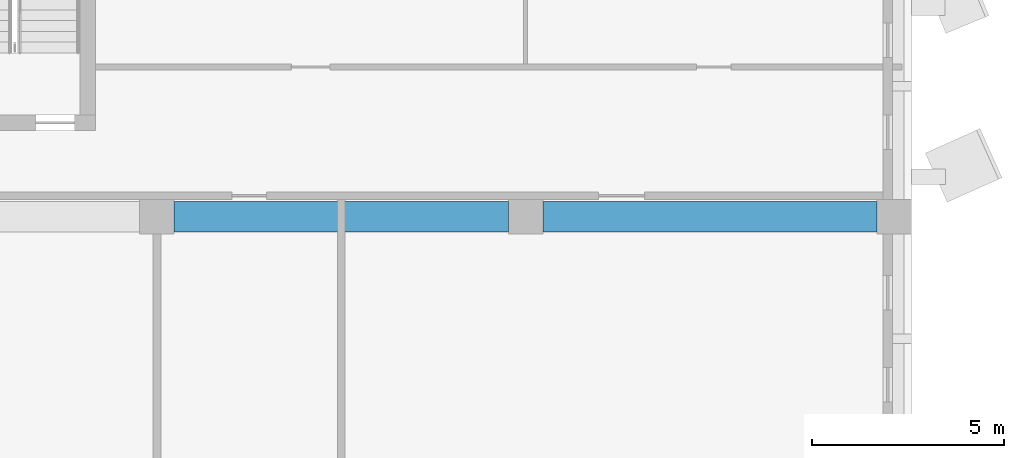
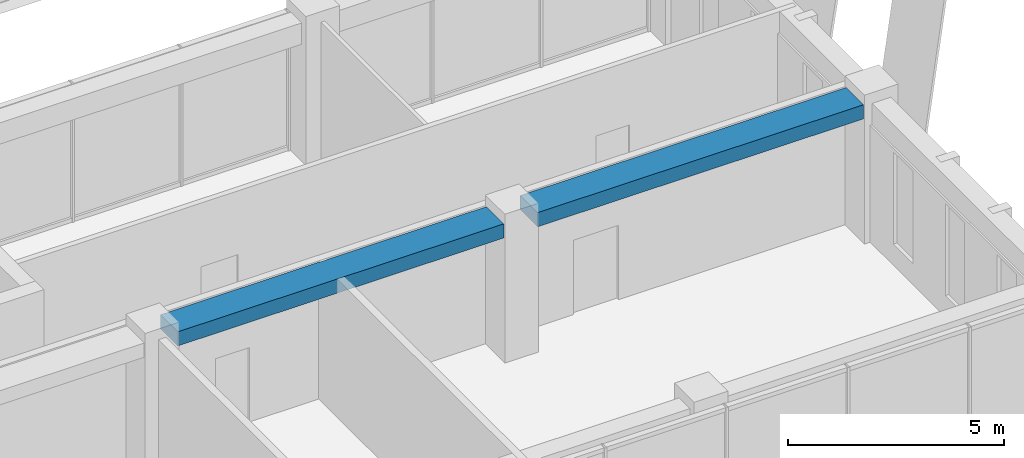
# One storey, part 13 of 36: 2 beams.
"""IFC4 building model written with IfcOpenShell, lengths in metres."""

import ifcopenshell
import ifcopenshell.guid

model = None  # the IFC model being written
_history = None  # IfcOwnerHistory: only IFC2X3 demands one
_inside = {}  # id of a spatial element -> (the spatial element, [elements in it])
_under = {}  # id of a project, library or spatial element -> (it, [spatial elements below it])
_declared = {}  # id of a project -> (the project, [libraries it declares])
_typed = {}  # id of a type object -> (the type object, [elements of that type])
_made_of = {}  # id of a material, layer set ... -> (it, [elements and type objects made of it])


def new_model(schema):
    """Start an empty IFC model of exactly this schema.

    Asked for "IFC4X3", IfcOpenShell would pick the latest addendum, in which some entities
    have other attributes; the version numbers below select the first issue.
    IFC2X3 requires an IfcOwnerHistory on every rooted entity: one is made here for all.
    """
    global model, _history
    if schema == "IFC4X3":
        model = ifcopenshell.file(schema_version=(4, 3, 0, 0))
    else:
        model = ifcopenshell.file(schema=schema)
    _inside.clear()
    _under.clear()
    _declared.clear()
    _typed.clear()
    _made_of.clear()
    _history = None
    if model.schema == "IFC2X3":
        org = make("IfcOrganization", Name="unknown")
        user = make(
            "IfcPersonAndOrganization",
            ThePerson=make("IfcPerson", FamilyName="unknown"),
            TheOrganization=org,
        )
        app = make(
            "IfcApplication",
            ApplicationDeveloper=org,
            Version="unknown",
            ApplicationFullName="unknown",
            ApplicationIdentifier="unknown",
        )
        _history = make(
            "IfcOwnerHistory",
            OwningUser=user,
            OwningApplication=app,
            ChangeAction="ADDED",
            CreationDate=0,
        )
    return model


def make(cls, **values):
    """One entity of the class cls with the attributes given. An attribute that is None is left unset."""
    return model.create_entity(
        cls, **{name: value for name, value in values.items() if value is not None}
    )


def rooted(cls, **values):
    """An entity with a GlobalId (a new one), such as an element, a storey or a relation."""
    return make(cls, GlobalId=ifcopenshell.guid.new(), OwnerHistory=_history, **values)


def si_unit(unit_type, name, prefix=None):
    """IfcSIUnit, for example si_unit("LENGTHUNIT", "METRE", prefix="MILLI")."""
    return make("IfcSIUnit", UnitType=unit_type, Prefix=prefix, Name=name)


def assignment(units):
    """IfcUnitAssignment: the units of a project."""
    return None if units is None else make("IfcUnitAssignment", Units=units)


def point(xyz):
    """IfcCartesianPoint."""
    return None if xyz is None else make("IfcCartesianPoint", Coordinates=xyz)


def direction(xyz):
    """IfcDirection."""
    return None if xyz is None else make("IfcDirection", DirectionRatios=xyz)


def frame(location, z_axis=None, x_axis=None):
    """IfcAxis2Placement3D, a coordinate frame: its origin and axes. An axis left out is left unset."""
    return make(
        "IfcAxis2Placement3D",
        Location=point(location),
        Axis=direction(z_axis),
        RefDirection=direction(x_axis),
    )


def frame_2d(location, x_axis=None):
    """IfcAxis2Placement2D, a coordinate frame in the plane: its origin and x axis."""
    return make(
        "IfcAxis2Placement2D", Location=point(location), RefDirection=direction(x_axis)
    )


def origin():
    """The frame at (0, 0, 0) with its axes left unset."""
    return frame((0.0, 0.0, 0.0))


def origin_2d():
    """The frame at (0, 0) in the plane with its x axis left unset."""
    return frame_2d((0.0, 0.0))


def place(relative_to, where):
    """IfcLocalPlacement: puts the frame where relative to a parent placement (None: the world)."""
    return make(
        "IfcLocalPlacement", PlacementRelTo=relative_to, RelativePlacement=where
    )


def context(
    kind, dimensions, precision=None, world=None, true_north=None, identifier=None
):
    """IfcGeometricRepresentationContext, for example the 3D "Model" context."""
    return make(
        "IfcGeometricRepresentationContext",
        ContextIdentifier=identifier,
        ContextType=kind,
        CoordinateSpaceDimension=dimensions,
        Precision=precision,
        WorldCoordinateSystem=world,
        TrueNorth=true_north,
    )


def subcontext(parent, identifier, kind, view, scale=None):
    """IfcGeometricRepresentationSubContext, for example "Body" below "Model"."""
    return make(
        "IfcGeometricRepresentationSubContext",
        ContextIdentifier=identifier,
        ContextType=kind,
        ParentContext=parent,
        TargetScale=scale,
        TargetView=view,
    )


def project(units=None, contexts=None):
    """IfcProject with its units and contexts."""
    return rooted(
        "IfcProject",
        Name="project",
        RepresentationContexts=contexts,
        UnitsInContext=assignment(units),
    )


def spatial(cls, under=None, at=None, **own):
    """A site, building, storey or space (cls), placed at a placement, below another one or the project."""
    s = rooted(cls, ObjectPlacement=at, **own)
    if under is not None:
        _under.setdefault(under.id(), (under, []))[1].append(s)
    return s


def profile(cls, at=None, kind="AREA", **sizes):
    """A parametric profile (cls). Its sizes go by their IFC names, for example OverallWidth=200.0."""
    return make(cls, ProfileType=kind, Position=at, **sizes)


def rectangle(**sizes):
    """IfcRectangleProfileDef."""
    return profile("IfcRectangleProfileDef", **sizes)


def extrude(swept, where, along, depth):
    """IfcExtrudedAreaSolid: the profile swept, set in the frame where, extruded along a direction by depth."""
    return make(
        "IfcExtrudedAreaSolid",
        SweptArea=swept,
        Position=where,
        ExtrudedDirection=direction(along),
        Depth=depth,
    )


def shape(context_of_items, identifier, shape_type, items):
    """IfcShapeRepresentation: the items that make up one representation, for example the "Body"."""
    return make(
        "IfcShapeRepresentation",
        ContextOfItems=context_of_items,
        RepresentationIdentifier=identifier,
        RepresentationType=shape_type,
        Items=items,
    )


def material(Name=None, Category=None):
    """IfcMaterial."""
    return make("IfcMaterial", Name=Name, Category=Category)


def material_profile(
    of_material, cross_section, Name=None, Category=None, Priority=None
):
    """IfcMaterialProfile: a cross section and its material."""
    return make(
        "IfcMaterialProfile",
        Name=Name,
        Material=of_material,
        Profile=cross_section,
        Priority=Priority,
        Category=Category,
    )


def profile_set(profiles, Name=None, composite=None):
    """IfcMaterialProfileSet."""
    return make(
        "IfcMaterialProfileSet",
        Name=Name,
        MaterialProfiles=profiles,
        CompositeProfile=composite,
    )


def made_of(thing, what):
    """Note that an element or type object is made of a material, layer set ...; save() writes the relation."""
    if what is not None:
        _made_of.setdefault(what.id(), (what, []))[1].append(thing)
    return thing


def type_object(cls, material=None, **own):
    """A type object (cls), such as IfcWallType, which elements share."""
    return made_of(rooted(cls, **own), material)


def element(
    cls,
    number,
    at=None,
    inside=None,
    cuts=None,
    type_object=None,
    material=None,
    context=None,
    identifier="Body",
    shape_type=None,
    held_by="IfcProductDefinitionShape",
    body=None,
    shapes=None,
    **own,
):
    """One element of the class cls, such as IfcWall. Its Tag is "e" and its number.

    at: its placement. inside: the storey or other place that contains it. cuts: it is an
    opening in that element (IfcRelVoidsElement). A single representation is given by context,
    identifier, shape_type and body (its items); several are given by shapes. held_by: the class
    of the entity that holds the representations. save() writes the other relations.
    """
    e = rooted(cls, Tag="e%d" % number, ObjectPlacement=at, **own)
    if body is not None:
        shapes = [shape(context, identifier, shape_type, body)]
    if shapes is not None:
        e.Representation = make(held_by, Representations=shapes)
    if inside is not None:
        _inside.setdefault(inside.id(), (inside, []))[1].append(e)
    if cuts is not None:
        rooted(
            "IfcRelVoidsElement", RelatingBuildingElement=cuts, RelatedOpeningElement=e
        )
    if type_object is not None:
        _typed.setdefault(type_object.id(), (type_object, []))[1].append(e)
    return made_of(e, material)


def aggregate(whole, parts):
    """IfcRelAggregates: a whole, such as a stair, and the parts it consists of."""
    return rooted("IfcRelAggregates", RelatingObject=whole, RelatedObjects=parts)


def save(model, path):
    """Write the relations noted so far, then the file.

    IfcRelAggregates (storeys below a building ...), IfcRelContainedInSpatialStructure (elements
    in a storey), IfcRelDefinesByType, IfcRelAssociatesMaterial and IfcRelDeclares: one each for
    every whole, place, type object, material and project.
    """
    for whole, parts in _under.values():
        aggregate(whole, parts)
    for where, things in _inside.values():
        rooted(
            "IfcRelContainedInSpatialStructure",
            RelatedElements=things,
            RelatingStructure=where,
        )
    for kind, things in _typed.values():
        rooted("IfcRelDefinesByType", RelatedObjects=things, RelatingType=kind)
    for what, things in _made_of.values():
        rooted("IfcRelAssociatesMaterial", RelatedObjects=things, RelatingMaterial=what)
    for by, libraries in _declared.values():
        rooted("IfcRelDeclares", RelatingContext=by, RelatedDefinitions=libraries)
    model.write(path)


model = new_model("IFC4")

# Units and contexts
model_context = context("Model", 3, precision=1e-05, world=origin(), true_north=direction((0.0, 1.0)))
body_context = subcontext(model_context, "Body", "Model", "MODEL_VIEW")
ifc_project = project(units=[si_unit("LENGTHUNIT", "METRE"), si_unit("AREAUNIT", "SQUARE_METRE"), si_unit("VOLUMEUNIT", "CUBIC_METRE"), si_unit("PLANEANGLEUNIT", "RADIAN"), si_unit("MASSUNIT", "GRAM", prefix="KILO")], contexts=[model_context])

# Site, building, storey
site_placement = place(None, origin())
site = spatial("IfcSite", under=ifc_project, at=site_placement, CompositionType="ELEMENT")
building_placement = place(site_placement, origin())
building = spatial("IfcBuilding", under=site, at=building_placement, Name="Nzadi Deep Aquarium and Research Tower", CompositionType="ELEMENT")
storey_placement = place(building_placement, frame((0.0, 0.0, 40.300048828125)))
storey = spatial("IfcBuildingStorey", under=building, at=storey_placement, Name="L07", CompositionType="ELEMENT", Elevation=40.300048828125)

# Beams
ifc_material = material(Name="Concrete C35/45", Category="concrete")
ifc_material_profile = material_profile(ifc_material, rectangle(XDim=0.800048828125, YDim=0.39990234375, at=origin_2d()))
ifc_profile_set = profile_set([ifc_material_profile], Name="Concrete C35/45")
beam_type = type_object("IfcBeamType", Name="RC 800x400", PredefinedType="BEAM", material=ifc_profile_set)
for number, where, z_axis, x_axis, name in (
    (1, (29.25, 9.199951171875, 3.699951171875), (1.0, 0.0, 0.0), (0.0, 1.0, 0.0), "B-Z1-L07-L2-4"),
    (2, (38.85009765625, 9.199951171875, 3.699951171875), (1.0, 0.0, 0.0), (0.0, 1.0, 0.0), "B-Z1-L07-L2-5"),
):
    element("IfcBeam", number, at=place(storey_placement, frame(where, z_axis=z_axis, x_axis=x_axis)), inside=storey, type_object=beam_type, Name=name, PredefinedType="BEAM", context=body_context, shape_type="SweptSolid", body=[
        extrude(rectangle(XDim=0.800048828125, YDim=0.39990234375, at=origin_2d()), origin(), (0.0, 0.0, 1.0), 8.699951171875),
    ])

save(model, "model.ifc")
